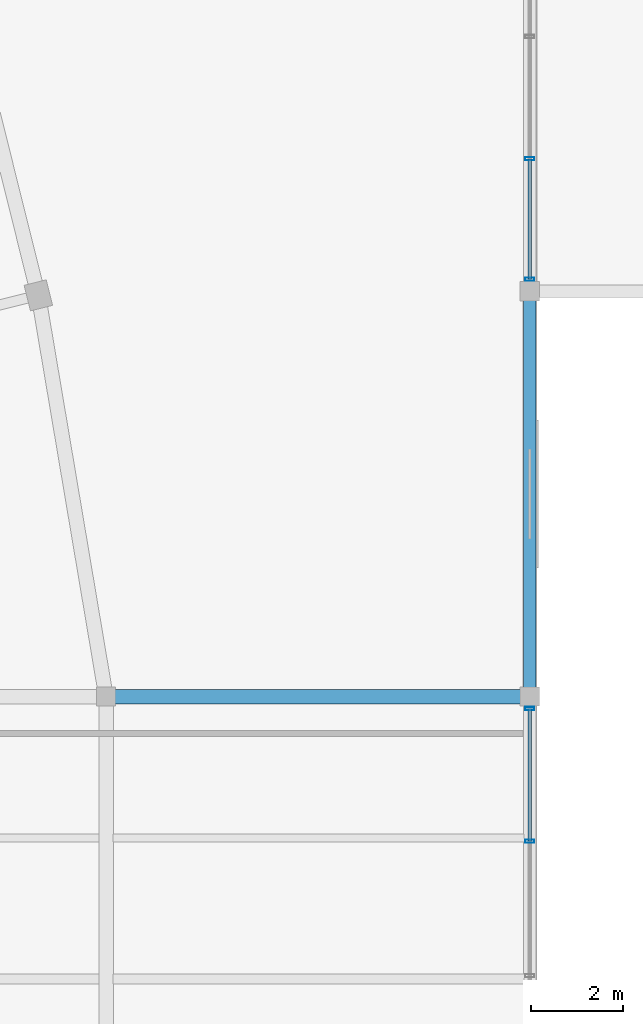
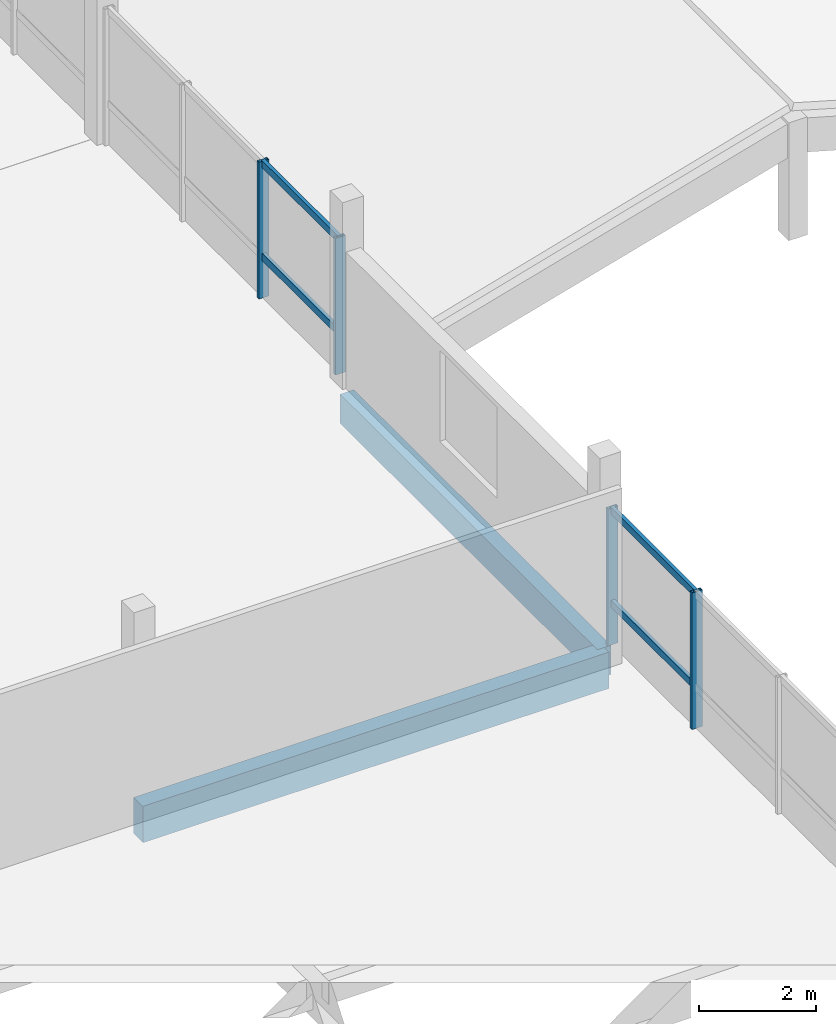
# One storey, part 23 of 47: 8 members, 2 beams, 2 elements without a shape of their own.
"""IFC4 building model written with IfcOpenShell, lengths in metres."""

from ifc_helpers import new_model, si_unit, direction, frame, origin, origin_2d, place, context, subcontext, project, spatial, rectangle, hollow_rectangle, extrude, material, layer, layer_set, material_profile, profile_set, type_object, element, aggregate, save


model = new_model("IFC4")

# Units and contexts
model_context = context("Model", 3, precision=1e-05, world=origin(), true_north=direction((0.0, 1.0)))
body_context = subcontext(model_context, "Body", "Model", "MODEL_VIEW")
ifc_project = project(units=[si_unit("LENGTHUNIT", "METRE"), si_unit("AREAUNIT", "SQUARE_METRE"), si_unit("VOLUMEUNIT", "CUBIC_METRE"), si_unit("PLANEANGLEUNIT", "RADIAN"), si_unit("MASSUNIT", "GRAM", prefix="KILO")], contexts=[model_context])

# Site, building, storey
site_placement = place(None, origin())
site = spatial("IfcSite", under=ifc_project, at=site_placement, CompositionType="ELEMENT")
building_placement = place(site_placement, origin())
building = spatial("IfcBuilding", under=site, at=building_placement, Name="Meriwether Solvik Hall", CompositionType="ELEMENT")
storey_placement = place(building_placement, frame((0.0, 0.0, 18.300048828125)))
storey = spatial("IfcBuildingStorey", under=building, at=storey_placement, Name="L04", CompositionType="ELEMENT", Elevation=18.300048828125)

# Beams
ifc_material_1 = material(Name="Glulam Douglas-Fir 24F-V8 GL28h", Category="wood")
ifc_material_profile_1 = material_profile(ifc_material_1, rectangle(XDim=0.27294921875, YDim=0.610107421875, at=origin_2d()), Name="GLB-273X610")
ifc_profile_set_1 = profile_set([ifc_material_profile_1], Name="Glulam Douglas-Fir 24F-V8 GL28h")
beam_type_1 = type_object("IfcBeamType", Name="BM-GL-273X610", PredefinedType="SPANDREL", material=ifc_profile_set_1)
beam_1_placement = place(storey_placement, frame((114.199951171875, 41.199951171875, -0.550048828125), z_axis=(0.0, 1.0, 0.0), x_axis=(-1.0, 0.0, 0.0)))
element("IfcBeam", 1, at=beam_1_placement, inside=storey, type_object=beam_type_1, Name="Podium Girder 13:E-F (L04)", PredefinedType="SPANDREL", context=body_context, shape_type="SweptSolid", body=[
    extrude(rectangle(XDim=0.27294921875, YDim=0.610107421875, at=origin_2d()), origin(), (0.0, 0.0, 1.0), 8.800048828125),
])
ifc_material_2 = material(Name="Glulam Douglas-Fir 24F-V8 GL28h", Category="wood")
ifc_material_profile_2 = material_profile(ifc_material_2, rectangle(XDim=0.31494140625, YDim=0.760009765625, at=origin_2d()), Name="GLB-315X760")
ifc_profile_set_2 = profile_set([ifc_material_profile_2], Name="Glulam Douglas-Fir 24F-V8 GL28h")
beam_type_2 = type_object("IfcBeamType", Name="BM-GL-315X760", PredefinedType="BEAM", material=ifc_profile_set_2)
beam_2_placement = place(storey_placement, frame((105.0, 41.199951171875, -0.625), z_axis=(1.0, 0.0, 0.0), x_axis=(0.0, 1.0, 0.0)))
element("IfcBeam", 2, at=beam_2_placement, inside=storey, type_object=beam_type_2, Name="Podium Girder E:12-13 (L04)", PredefinedType="BEAM", context=body_context, shape_type="SweptSolid", body=[
    extrude(rectangle(XDim=0.31494140625, YDim=0.760009765625, at=origin_2d()), origin(), (0.0, 0.0, 1.0), 9.199951171875),
])

# Curtain wall, members
ifc_material_3 = material(Name="Thermally Broken Anodised Aluminium 6063-T6 and Low-E Glass", Category="aluminium")
ifc_layer = layer(ifc_material_3, 0.179931640625)
ifc_layer_set = layer_set([ifc_layer], Name="Thermally Broken Anodised Aluminium 6063-T6 and Low-E Glass")
curtain_wall_type = type_object("IfcCurtainWallType", Name="CW-UNIT-E", PredefinedType="USERDEFINED", material=ifc_layer_set)
curtain_wall_1_placement = place(storey_placement, origin())
curtain_wall_1 = element("IfcCurtainWall", 3, at=curtain_wall_1_placement, inside=storey, type_object=curtain_wall_type, Name="Curtain Wall wing_Y13_4_25 (L04)", ObjectType="UNITISED CURTAIN WALL", PredefinedType="USERDEFINED")
ifc_material_4 = material(Name="Anodised Aluminium 6063-T6", Category="aluminium")
ifc_material_profile_3 = material_profile(ifc_material_4, hollow_rectangle(XDim=0.070068359375, YDim=0.199951171875, WallThickness=0.0048828125, at=origin_2d()), Name="CWM-70X200")
ifc_profile_set_3 = profile_set([ifc_material_profile_3], Name="Anodised Aluminium 6063-T6")
member_type_1 = type_object("IfcMemberType", Name="CW-MUL-70X200", PredefinedType="MULLION", material=ifc_profile_set_3)
member_1_placement = place(storey_placement, frame((114.199951171875, 40.93994140625, 0.0), z_axis=(0.0, 0.0, 1.0), x_axis=(0.0, -1.0, 0.0)))
member_1 = element("IfcMember", 4, at=member_1_placement, type_object=member_type_1, Name="Curtain Wall Mullion 1", PredefinedType="MULLION", context=body_context, shape_type="SweptSolid", body=[
    extrude(hollow_rectangle(XDim=0.070068359375, YDim=0.199951171875, WallThickness=0.0048828125, at=origin_2d()), origin(), (0.0, 0.0, 1.0), 2.85498046875),
])
member_2_placement = place(storey_placement, frame((114.199951171875, 38.059326171875, 0.0), z_axis=(0.0, 0.0, 1.0), x_axis=(0.0, -1.0, 0.0)))
member_2 = element("IfcMember", 5, at=member_2_placement, type_object=member_type_1, Name="Curtain Wall Mullion 2", PredefinedType="MULLION", context=body_context, shape_type="SweptSolid", body=[
    extrude(hollow_rectangle(XDim=0.070068359375, YDim=0.199951171875, WallThickness=0.0048828125, at=origin_2d()), origin(), (0.0, 0.0, 1.0), 2.85498046875),
])

curtain_wall_2_placement = place(storey_placement, origin())
curtain_wall_2 = element("IfcCurtainWall", 6, at=curtain_wall_2_placement, inside=storey, type_object=curtain_wall_type, Name="Curtain Wall wing_Y13_6_27 (L04)", ObjectType="UNITISED CURTAIN WALL", PredefinedType="USERDEFINED")
member_3_placement = place(storey_placement, frame((114.199951171875, 52.8740234375, 0.0), z_axis=(0.0, 0.0, 1.0), x_axis=(0.0, -1.0, 0.0)))
member_3 = element("IfcMember", 7, at=member_3_placement, type_object=member_type_1, Name="Curtain Wall Mullion 3", PredefinedType="MULLION", context=body_context, shape_type="SweptSolid", body=[
    extrude(hollow_rectangle(XDim=0.070068359375, YDim=0.199951171875, WallThickness=0.0048828125, at=origin_2d()), origin(), (0.0, 0.0, 1.0), 2.85498046875),
])
member_4_placement = place(storey_placement, frame((114.199951171875, 50.260009765625, 0.0), z_axis=(0.0, 0.0, 1.0), x_axis=(0.0, -1.0, 0.0)))
member_4 = element("IfcMember", 8, at=member_4_placement, type_object=member_type_1, Name="Curtain Wall Mullion 4", PredefinedType="MULLION", context=body_context, shape_type="SweptSolid", body=[
    extrude(hollow_rectangle(XDim=0.070068359375, YDim=0.199951171875, WallThickness=0.0048828125, at=origin_2d()), origin(), (0.0, 0.0, 1.0), 2.85498046875),
])

# Member
ifc_material_5 = material(Name="Anodised Aluminium 6063-T6", Category="aluminium")
ifc_material_profile_4 = material_profile(ifc_material_5, hollow_rectangle(XDim=0.070068359375, YDim=0.14990234375, WallThickness=0.0048828125, at=origin_2d()), Name="CWT-70X150")
ifc_profile_set_4 = profile_set([ifc_material_profile_4], Name="Anodised Aluminium 6063-T6")
member_type_2 = type_object("IfcMemberType", Name="CW-TRN-70X150", PredefinedType="USERDEFINED", material=ifc_profile_set_4)
member_5_placement = place(storey_placement, frame((114.199951171875, 40.93994140625, 0.8564453125), z_axis=(0.0, -1.0, 0.0), x_axis=(1.0, 0.0, 0.0)))
member_5 = element("IfcMember", 9, at=member_5_placement, type_object=member_type_2, Name="Curtain Wall Transom 1-sill", ObjectType="TRANSOM", PredefinedType="USERDEFINED", context=body_context, shape_type="SweptSolid", body=[
    extrude(hollow_rectangle(XDim=0.070068359375, YDim=0.14990234375, WallThickness=0.0048828125, at=origin_2d()), origin(), (0.0, 0.0, 1.0), 2.880615234375),
])

member_6_placement = place(storey_placement, frame((114.199951171875, 40.93994140625, 2.794921875), z_axis=(0.0, -1.0, 0.0), x_axis=(1.0, 0.0, 0.0)))
member_6 = element("IfcMember", 10, at=member_6_placement, type_object=member_type_2, Name="Curtain Wall Transom 1-head", ObjectType="TRANSOM", PredefinedType="USERDEFINED", context=body_context, shape_type="SweptSolid", body=[
    extrude(hollow_rectangle(XDim=0.070068359375, YDim=0.14990234375, WallThickness=0.0048828125, at=origin_2d()), origin(), (0.0, 0.0, 1.0), 2.880615234375),
])

aggregate(curtain_wall_1, [member_1, member_2, member_5, member_6])

member_7_placement = place(storey_placement, frame((114.199951171875, 52.8740234375, 0.8564453125), z_axis=(0.0, -1.0, 0.0), x_axis=(1.0, 0.0, 0.0)))
member_7 = element("IfcMember", 11, at=member_7_placement, type_object=member_type_2, Name="Curtain Wall Transom 3-sill", ObjectType="TRANSOM", PredefinedType="USERDEFINED", context=body_context, shape_type="SweptSolid", body=[
    extrude(hollow_rectangle(XDim=0.070068359375, YDim=0.14990234375, WallThickness=0.0048828125, at=origin_2d()), origin(), (0.0, 0.0, 1.0), 2.614013671875),
])

member_8_placement = place(storey_placement, frame((114.199951171875, 52.8740234375, 2.794921875), z_axis=(0.0, -1.0, 0.0), x_axis=(1.0, 0.0, 0.0)))
member_8 = element("IfcMember", 12, at=member_8_placement, type_object=member_type_2, Name="Curtain Wall Transom 3-head", ObjectType="TRANSOM", PredefinedType="USERDEFINED", context=body_context, shape_type="SweptSolid", body=[
    extrude(hollow_rectangle(XDim=0.070068359375, YDim=0.14990234375, WallThickness=0.0048828125, at=origin_2d()), origin(), (0.0, 0.0, 1.0), 2.614013671875),
])

aggregate(curtain_wall_2, [member_3, member_4, member_7, member_8])

save(model, "model.ifc")
